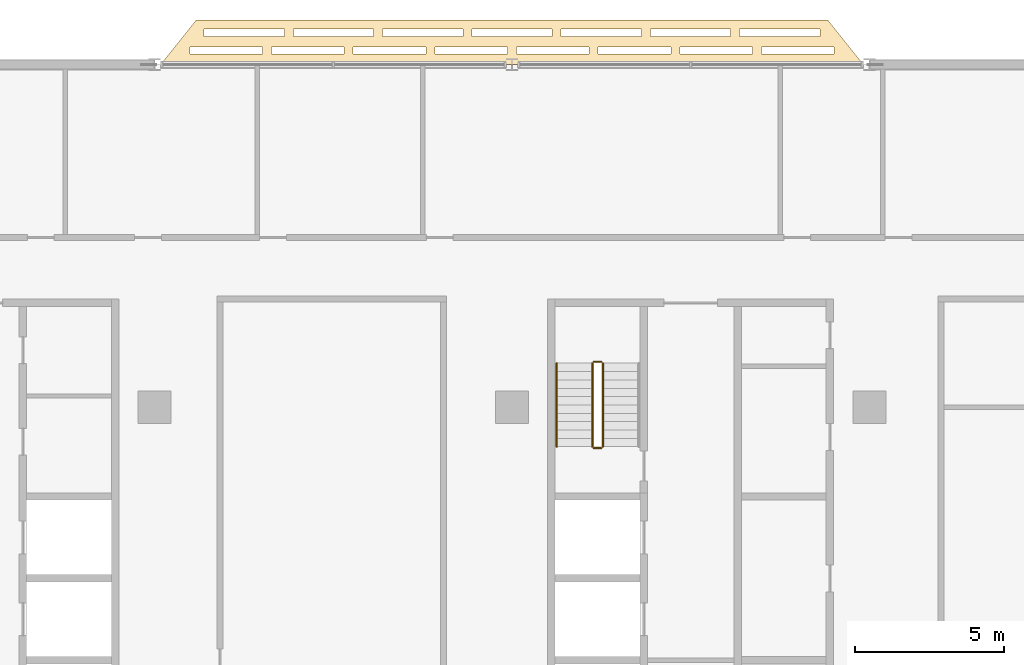
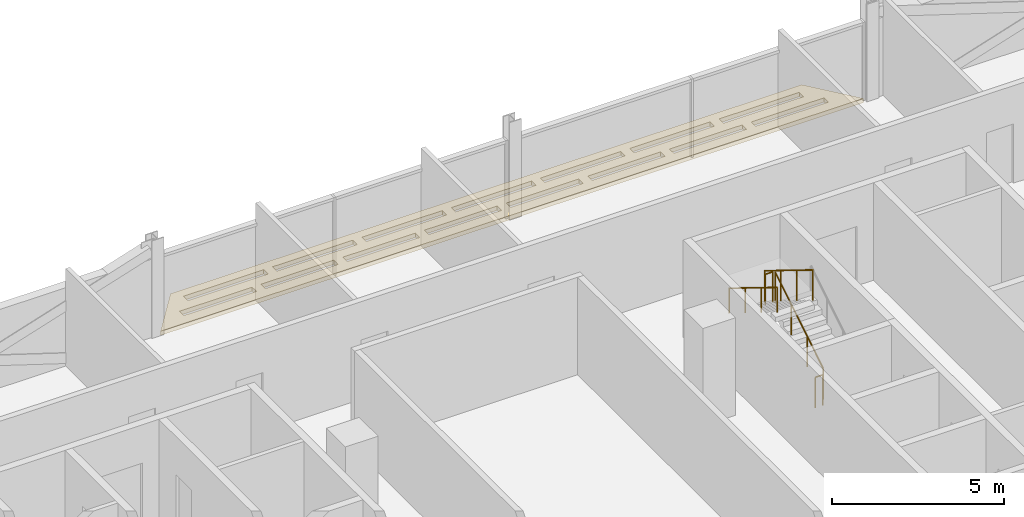
# One storey, part 27 of 29: 5 railings, 1 covering.
"""IFC4 building model written with IfcOpenShell, lengths in metres."""

from ifc_helpers import new_model, si_unit, direction, frame, origin, origin_2d, place, context, subcontext, project, spatial, polyline, circle, outline, extrude, material, layer, layer_set, type_object, element, save


model = new_model("IFC4")

# Units and contexts
model_context = context("Model", 3, precision=1e-05, world=origin(), true_north=direction((0.0, 1.0)))
body_context = subcontext(model_context, "Body", "Model", "MODEL_VIEW")
ifc_project = project(units=[si_unit("LENGTHUNIT", "METRE"), si_unit("AREAUNIT", "SQUARE_METRE"), si_unit("VOLUMEUNIT", "CUBIC_METRE"), si_unit("PLANEANGLEUNIT", "RADIAN"), si_unit("MASSUNIT", "GRAM", prefix="KILO")], contexts=[model_context])

# Site, building, storey
site_placement = place(None, origin())
site = spatial("IfcSite", under=ifc_project, at=site_placement, CompositionType="ELEMENT")
building_placement = place(site_placement, origin())
building = spatial("IfcBuilding", under=site, at=building_placement, Name="Mahtab Terrace Research Tower", CompositionType="ELEMENT")
storey_placement = place(building_placement, frame((0.0, 0.0, 197.699951171875)))
storey = spatial("IfcBuildingStorey", under=building, at=storey_placement, Name="L47", CompositionType="ELEMENT", Elevation=197.699951171875)

# Covering
ifc_material_1 = material(Name="Black anodised aluminium", Category="aluminium")
ifc_layer = layer(ifc_material_1, 0.14990234375)
ifc_layer_set = layer_set([ifc_layer], Name="Horizontal sunshade band")
covering_type = type_object("IfcCoveringType", Name="Horizontal sunshade band", PredefinedType="CLADDING", material=ifc_layer_set)
covering_placement = place(storey_placement, frame((0.0, 0.0, -0.14990234375)))
element("IfcCovering", 1, at=covering_placement, inside=storey, type_object=covering_type, Name="Sunshade band L47 5", PredefinedType="CLADDING", context=body_context, shape_type="SweptSolid", body=[
    extrude(outline(polyline([(29.800048828125, 23.0), (6.199951171875, 23.0), (7.39990234375, 24.5), (28.60009765625, 24.5), (29.800048828125, 23.0)]), holes=[polyline([(28.820068359375, 23.35009765625), (26.3779296875, 23.35009765625), (26.3779296875, 23.60009765625), (28.820068359375, 23.60009765625), (28.820068359375, 23.35009765625)]), polyline([(26.077880859375, 23.35009765625), (23.635009765625, 23.35009765625), (23.635009765625, 23.60009765625), (26.077880859375, 23.60009765625), (26.077880859375, 23.35009765625)]), polyline([(23.3349609375, 23.35009765625), (20.89306640625, 23.35009765625), (20.89306640625, 23.60009765625), (23.3349609375, 23.60009765625), (23.3349609375, 23.35009765625)]), polyline([(20.593017578125, 23.35009765625), (18.14990234375, 23.35009765625), (18.14990234375, 23.60009765625), (20.593017578125, 23.60009765625), (20.593017578125, 23.35009765625)]), polyline([(17.85009765625, 23.35009765625), (15.406982421875, 23.35009765625), (15.406982421875, 23.60009765625), (17.85009765625, 23.60009765625), (17.85009765625, 23.35009765625)]), polyline([(15.10791015625, 23.35009765625), (12.6650390625, 23.35009765625), (12.6650390625, 23.60009765625), (15.10791015625, 23.60009765625), (15.10791015625, 23.35009765625)]), polyline([(12.364990234375, 23.35009765625), (9.922119140625, 23.35009765625), (9.922119140625, 23.60009765625), (12.364990234375, 23.60009765625), (12.364990234375, 23.35009765625)]), polyline([(9.623046875, 23.35009765625), (7.179931640625, 23.35009765625), (7.179931640625, 23.60009765625), (9.623046875, 23.60009765625), (9.623046875, 23.35009765625)]), polyline([(28.340087890625, 23.949951171875), (25.64306640625, 23.949951171875), (25.64306640625, 24.199951171875), (28.340087890625, 24.199951171875), (28.340087890625, 23.949951171875)]), polyline([(25.343017578125, 23.949951171875), (22.64599609375, 23.949951171875), (22.64599609375, 24.199951171875), (25.343017578125, 24.199951171875), (25.343017578125, 23.949951171875)]), polyline([(22.345947265625, 23.949951171875), (19.64892578125, 23.949951171875), (19.64892578125, 24.199951171875), (22.345947265625, 24.199951171875), (22.345947265625, 23.949951171875)]), polyline([(19.34912109375, 23.949951171875), (16.65087890625, 23.949951171875), (16.65087890625, 24.199951171875), (19.34912109375, 24.199951171875), (19.34912109375, 23.949951171875)]), polyline([(16.35107421875, 23.949951171875), (13.654052734375, 23.949951171875), (13.654052734375, 24.199951171875), (16.35107421875, 24.199951171875), (16.35107421875, 23.949951171875)]), polyline([(13.35400390625, 23.949951171875), (10.656982421875, 23.949951171875), (10.656982421875, 24.199951171875), (13.35400390625, 24.199951171875), (13.35400390625, 23.949951171875)]), polyline([(10.35693359375, 23.949951171875), (7.659912109375, 23.949951171875), (7.659912109375, 24.199951171875), (10.35693359375, 24.199951171875), (10.35693359375, 23.949951171875)])]), origin(), (0.0, 0.0, 1.0), 0.14990234375),
])

# Railings
ifc_material_2 = material(Name="Stainless steel AISI 304", Category="steel")
railing_type_1 = type_object("IfcRailingType", Name="Stair guard 1100", PredefinedType="GUARDRAIL", material=ifc_material_2)
railing_1_placement = place(storey_placement, frame((21.050048828125, 10.175048828125, 0.1728515625)))
element("IfcRailing", 2, at=railing_1_placement, inside=storey, type_object=railing_type_1, Name="L47 ST3 stair guard 1", PredefinedType="GUARDRAIL", context=body_context, shape_type="SweptSolid", body=[
    extrude(circle(Radius=0.02392578125, at=origin_2d()), frame((0.0, 0.0, 1.076171875), z_axis=(0.0, 0.851089632645, 0.525020415988), x_axis=(-1.0, 0.0, 0.0)), (0.0, 0.0, 1.0), 3.2900390625),
    extrude(circle(Radius=0.02099609375, at=origin_2d()), origin(), (0.0, 0.0, 1.0), 1.052001953125),
    extrude(circle(Radius=0.02099609375, at=origin_2d()), frame((0.0, 0.933349609375, 0.57568359375)), (0.0, 0.0, 1.0), 1.052001953125),
    extrude(circle(Radius=0.02099609375, at=origin_2d()), frame((0.0, 1.86669921875, 1.151611328125)), (0.0, 0.0, 1.0), 1.052001953125),
    extrude(circle(Radius=0.02099609375, at=origin_2d()), frame((0.0, 2.800048828125, 1.727294921875)), (0.0, 0.0, 1.0), 1.052001953125),
])
railing_2_placement = place(storey_placement, frame((21.0, 13.02490234375, 1.900146484375)))
element("IfcRailing", 3, at=railing_2_placement, inside=storey, type_object=railing_type_1, Name="L47 ST3 stair guard 2", PredefinedType="GUARDRAIL", context=body_context, shape_type="SweptSolid", body=[
    extrude(circle(Radius=0.02392578125, at=origin_2d()), frame((0.0, 0.0, 1.076171875), z_axis=(-1.0, 0.0, 0.0), x_axis=(0.0, -1.0, 0.0)), (0.0, 0.0, 1.0), 0.25),
    extrude(circle(Radius=0.02099609375, at=origin_2d()), origin(), (0.0, 0.0, 1.0), 1.052001953125),
    extrude(circle(Radius=0.02099609375, at=origin_2d()), frame((-0.25, 0.0, 0.0)), (0.0, 0.0, 1.0), 1.052001953125),
])
railing_3_placement = place(storey_placement, frame((20.699951171875, 12.97509765625, 2.07275390625)))
element("IfcRailing", 4, at=railing_3_placement, inside=storey, type_object=railing_type_1, Name="L47 ST3 stair guard 3", PredefinedType="GUARDRAIL", context=body_context, shape_type="SweptSolid", body=[
    extrude(circle(Radius=0.02392578125, at=origin_2d()), frame((0.0, 0.0, 1.076171875), z_axis=(0.0, -0.851089632645, 0.525020415988), x_axis=(1.0, 0.0, 0.0)), (0.0, 0.0, 1.0), 3.2900390625),
    extrude(circle(Radius=0.02099609375, at=origin_2d()), origin(), (0.0, 0.0, 1.0), 1.052001953125),
    extrude(circle(Radius=0.02099609375, at=origin_2d()), frame((0.0, -0.933349609375, 0.57568359375)), (0.0, 0.0, 1.0), 1.052001953125),
    extrude(circle(Radius=0.02099609375, at=origin_2d()), frame((0.0, -1.86669921875, 1.151611328125)), (0.0, 0.0, 1.0), 1.052001953125),
    extrude(circle(Radius=0.02099609375, at=origin_2d()), frame((0.0, -2.800048828125, 1.727294921875)), (0.0, 0.0, 1.0), 1.052001953125),
])
railing_4_placement = place(storey_placement, frame((21.0, 10.125, 0.0)))
element("IfcRailing", 5, at=railing_4_placement, inside=storey, type_object=railing_type_1, Name="L47 ST3 stair guard 4", PredefinedType="GUARDRAIL", context=body_context, shape_type="SweptSolid", body=[
    extrude(circle(Radius=0.02392578125, at=origin_2d()), frame((0.0, 0.0, 1.076171875), z_axis=(-1.0, 0.0, 0.0), x_axis=(0.0, -1.0, 0.0)), (0.0, 0.0, 1.0), 0.25),
    extrude(circle(Radius=0.02099609375, at=origin_2d()), origin(), (0.0, 0.0, 1.0), 1.052001953125),
    extrude(circle(Radius=0.02099609375, at=origin_2d()), frame((-0.25, 0.0, 0.0)), (0.0, 0.0, 1.0), 1.052001953125),
])
railing_type_2 = type_object("IfcRailingType", Name="Stair handrail 900", PredefinedType="HANDRAIL", material=ifc_material_2)
railing_5_placement = place(storey_placement, frame((19.5, 12.97509765625, 2.07275390625)))
element("IfcRailing", 6, at=railing_5_placement, inside=storey, type_object=railing_type_2, Name="L47 ST3 stair handrail 2", PredefinedType="HANDRAIL", context=body_context, shape_type="SweptSolid", body=[
    extrude(circle(Radius=0.02392578125, at=origin_2d()), frame((0.0, 0.0, 0.8759765625), z_axis=(0.0, -0.851089632645, 0.525020415988), x_axis=(1.0, 0.0, 0.0)), (0.0, 0.0, 1.0), 3.2900390625),
    extrude(circle(Radius=0.02099609375, at=origin_2d()), origin(), (0.0, 0.0, 1.0), 0.851806640625),
    extrude(circle(Radius=0.02099609375, at=origin_2d()), frame((0.0, -0.933349609375, 0.57568359375)), (0.0, 0.0, 1.0), 0.851806640625),
    extrude(circle(Radius=0.02099609375, at=origin_2d()), frame((0.0, -1.86669921875, 1.151611328125)), (0.0, 0.0, 1.0), 0.851806640625),
    extrude(circle(Radius=0.02099609375, at=origin_2d()), frame((0.0, -2.800048828125, 1.727294921875)), (0.0, 0.0, 1.0), 0.851806640625),
])

save(model, "model.ifc")
